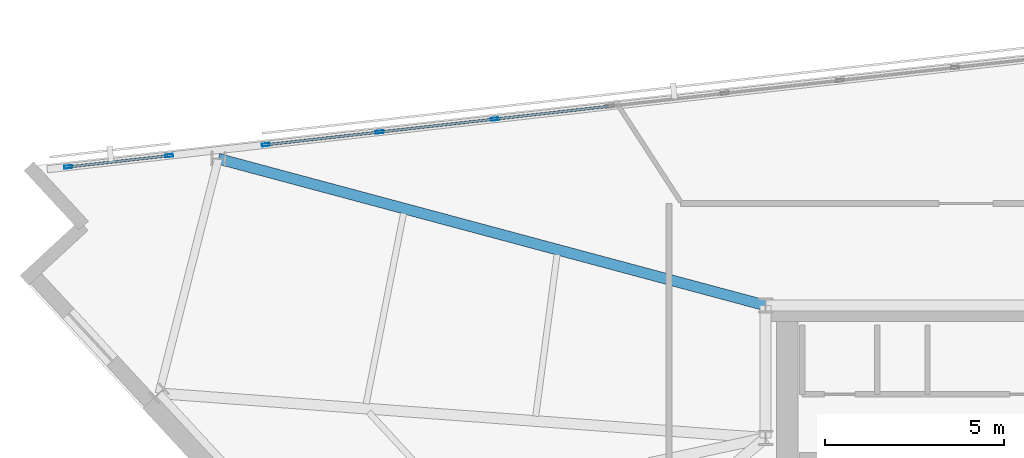
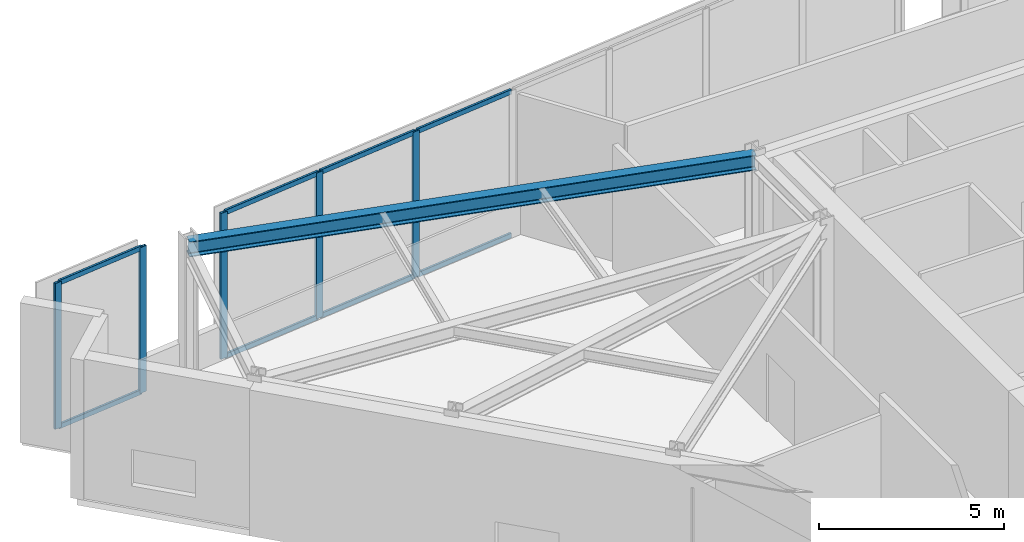
# One storey, part 2 of 12: 13 members, 1 beam, 2 elements without a shape of their own.
"""IFC4 building model written with IfcOpenShell, lengths in metres."""

from ifc_helpers import new_model, si_unit, direction, frame, origin, origin_2d, place, context, subcontext, project, spatial, hollow_rectangle, i_section, extrude, material, material_profile, profile_set, type_object, element, aggregate, save


model = new_model("IFC4")

# Units and contexts
model_context = context("Model", 3, precision=1e-05, world=origin(), true_north=direction((0.0, 1.0)))
body_context = subcontext(model_context, "Body", "Model", "MODEL_VIEW")
ifc_project = project(units=[si_unit("LENGTHUNIT", "METRE"), si_unit("AREAUNIT", "SQUARE_METRE"), si_unit("VOLUMEUNIT", "CUBIC_METRE"), si_unit("PLANEANGLEUNIT", "RADIAN"), si_unit("MASSUNIT", "GRAM", prefix="KILO")], contexts=[model_context])

# Site, building, storey
site_placement = place(None, origin())
site = spatial("IfcSite", under=ifc_project, at=site_placement, CompositionType="ELEMENT")
building_placement = place(site_placement, origin())
building = spatial("IfcBuilding", under=site, at=building_placement, Name="Narakoshi Arena Tower", CompositionType="ELEMENT")
storey_placement = place(building_placement, frame((0.0, 0.0, 302.97998046875)))
storey = spatial("IfcBuildingStorey", under=building, at=storey_placement, Name="L82", CompositionType="ELEMENT", Elevation=302.97998046875)

# Beam
ifc_material_1 = material(Name="Structural steel S355J2", Category="steel")
ifc_material_profile_1 = material_profile(ifc_material_1, i_section(OverallWidth=0.300048828125, OverallDepth=0.5, WebThickness=0.014404296875, FlangeThickness=0.028076171875, FilletRadius=0.027099609375, at=origin_2d()), Name="HE500B")
ifc_profile_set_1 = profile_set([ifc_material_profile_1], Name="Structural steel S355J2")
beam_type = type_object("IfcBeamType", Name="BM-PRI-500", PredefinedType="BEAM", material=ifc_profile_set_1)
beam_placement = place(storey_placement, frame((72.0, 56.5, 4.35009765625), z_axis=(-0.965877018817, 0.259001128418, 0.0), x_axis=(-0.259001128418, -0.965877018817, 0.0)))
element("IfcBeam", 1, at=beam_placement, inside=storey, type_object=beam_type, Name="L82 Radial Primary Floor Girder 08", PredefinedType="BEAM", context=body_context, shape_type="SweptSolid", body=[
    extrude(i_section(OverallWidth=0.300048828125, OverallDepth=0.5, WebThickness=0.014404296875, FlangeThickness=0.028076171875, FilletRadius=0.027099609375, at=origin_2d()), origin(), (0.0, 0.0, 1.0), 15.822998046875),
])

# Curtain wall, members
ifc_material_2 = material(Name="Anodised bronze aluminium 6063-T6", Category="aluminium")
curtain_wall_type = type_object("IfcCurtainWallType", Name="CW-CRN-FACET", PredefinedType="NOTDEFINED", material=ifc_material_2)
curtain_wall_1_placement = place(storey_placement, origin())
curtain_wall_1 = element("IfcCurtainWall", 2, at=curtain_wall_1_placement, inside=storey, type_object=curtain_wall_type, Name="L82 Slanted-Cut Crown Curtain Wall 5-1", PredefinedType="NOTDEFINED")
ifc_material_profile_2 = material_profile(ifc_material_2, hollow_rectangle(XDim=0.080078125, YDim=0.219970703125, WallThickness=0.0048828125, OuterFilletRadius=0.006103515625, at=origin_2d()), Name="MUL220x80x5")
ifc_profile_set_2 = profile_set([ifc_material_profile_2], Name="Anodised bronze aluminium 6063-T6")
member_type_1 = type_object("IfcMemberType", Name="MEM-MUL-220", PredefinedType="MULLION", material=ifc_profile_set_2)
member_1_placement = place(storey_placement, frame((52.522216796875, 60.369384765625, 0.0), z_axis=(0.0, 0.0, 1.0), x_axis=(-0.1113948238, 0.993776228952, 0.0)))
member_1 = element("IfcMember", 3, at=member_1_placement, type_object=member_type_1, Name="CW-06 mullion 1", PredefinedType="MULLION", context=body_context, shape_type="SweptSolid", body=[
    extrude(hollow_rectangle(XDim=0.080078125, YDim=0.219970703125, WallThickness=0.0048828125, OuterFilletRadius=0.006103515625, at=origin_2d()), origin(), (0.0, 0.0, 1.0), 4.800048828125),
])
member_2_placement = place(storey_placement, frame((55.34130859375, 60.685302734375, 0.0), z_axis=(0.0, 0.0, 1.0), x_axis=(-0.1113948238, 0.993776228952, 0.0)))
member_2 = element("IfcMember", 4, at=member_2_placement, type_object=member_type_1, Name="CW-06 mullion 2", PredefinedType="MULLION", context=body_context, shape_type="SweptSolid", body=[
    extrude(hollow_rectangle(XDim=0.080078125, YDim=0.219970703125, WallThickness=0.0048828125, OuterFilletRadius=0.006103515625, at=origin_2d()), origin(), (0.0, 0.0, 1.0), 4.800048828125),
])

curtain_wall_2_placement = place(storey_placement, origin())
curtain_wall_2 = element("IfcCurtainWall", 5, at=curtain_wall_2_placement, inside=storey, type_object=curtain_wall_type, Name="L82 Slanted-Cut Crown Curtain Wall 5-2", PredefinedType="NOTDEFINED")
member_3_placement = place(storey_placement, frame((58.040771484375, 60.988037109375, 0.0), z_axis=(0.0, 0.0, 1.0), x_axis=(-0.11139525537, 0.993776180576, 0.0)))
member_3 = element("IfcMember", 6, at=member_3_placement, type_object=member_type_1, Name="CW-06 mullion 1", PredefinedType="MULLION", context=body_context, shape_type="SweptSolid", body=[
    extrude(hollow_rectangle(XDim=0.080078125, YDim=0.219970703125, WallThickness=0.0048828125, OuterFilletRadius=0.006103515625, at=origin_2d()), origin(), (0.0, 0.0, 1.0), 4.800048828125),
])
member_4_placement = place(storey_placement, frame((61.216796875, 61.343994140625, 0.0), z_axis=(0.0, 0.0, 1.0), x_axis=(-0.11139525537, 0.993776180576, 0.0)))
member_4 = element("IfcMember", 7, at=member_4_placement, type_object=member_type_1, Name="CW-06 mullion 2", PredefinedType="MULLION", context=body_context, shape_type="SweptSolid", body=[
    extrude(hollow_rectangle(XDim=0.080078125, YDim=0.219970703125, WallThickness=0.0048828125, OuterFilletRadius=0.006103515625, at=origin_2d()), origin(), (0.0, 0.0, 1.0), 4.800048828125),
])
member_5_placement = place(storey_placement, frame((64.432373046875, 61.704345703125, 0.0), z_axis=(0.0, 0.0, 1.0), x_axis=(-0.11139525537, 0.993776180576, 0.0)))
member_5 = element("IfcMember", 8, at=member_5_placement, type_object=member_type_1, Name="CW-06 mullion 3", PredefinedType="MULLION", context=body_context, shape_type="SweptSolid", body=[
    extrude(hollow_rectangle(XDim=0.080078125, YDim=0.219970703125, WallThickness=0.0048828125, OuterFilletRadius=0.006103515625, at=origin_2d()), origin(), (0.0, 0.0, 1.0), 4.800048828125),
])

# Member
ifc_material_profile_3 = material_profile(ifc_material_2, hollow_rectangle(XDim=0.070068359375, YDim=0.159912109375, WallThickness=0.00390625, OuterFilletRadius=0.0048828125, at=origin_2d()), Name="TRN160x70x4")
ifc_profile_set_3 = profile_set([ifc_material_profile_3], Name="Anodised bronze aluminium 6063-T6")
member_type_2 = type_object("IfcMemberType", Name="MEM-TRN-160", PredefinedType="USERDEFINED", material=ifc_profile_set_3)
member_6_placement = place(storey_placement, frame((52.56201171875, 60.373779296875, 0.034912109375), z_axis=(0.993774165125, 0.11141323409, 0.0), x_axis=(-0.11141323409, 0.993774165125, 0.0)))
member_6 = element("IfcMember", 9, at=member_6_placement, type_object=member_type_2, Name="CW-06 transom 1.1", ObjectType="TRANSOM", PredefinedType="USERDEFINED", context=body_context, shape_type="SweptSolid", body=[
    extrude(hollow_rectangle(XDim=0.070068359375, YDim=0.159912109375, WallThickness=0.00390625, OuterFilletRadius=0.0048828125, at=origin_2d()), origin(), (0.0, 0.0, 1.0), 2.756591796875),
])

member_7_placement = place(storey_placement, frame((52.56201171875, 60.373779296875, 4.76513671875), z_axis=(0.993774165125, 0.11141323409, 0.0), x_axis=(-0.11141323409, 0.993774165125, 0.0)))
member_7 = element("IfcMember", 10, at=member_7_placement, type_object=member_type_2, Name="CW-06 transom 1.2", ObjectType="TRANSOM", PredefinedType="USERDEFINED", context=body_context, shape_type="SweptSolid", body=[
    extrude(hollow_rectangle(XDim=0.070068359375, YDim=0.159912109375, WallThickness=0.00390625, OuterFilletRadius=0.0048828125, at=origin_2d()), origin(), (0.0, 0.0, 1.0), 2.756591796875),
])

aggregate(curtain_wall_1, [member_1, member_2, member_6, member_7])

member_8_placement = place(storey_placement, frame((58.08056640625, 60.992431640625, 0.034912109375), z_axis=(0.993773354848, 0.111420461294, 0.0), x_axis=(-0.111420461294, 0.993773354848, 0.0)))
member_8 = element("IfcMember", 11, at=member_8_placement, type_object=member_type_2, Name="CW-06 transom 1.1", ObjectType="TRANSOM", PredefinedType="USERDEFINED", context=body_context, shape_type="SweptSolid", body=[
    extrude(hollow_rectangle(XDim=0.070068359375, YDim=0.159912109375, WallThickness=0.00390625, OuterFilletRadius=0.0048828125, at=origin_2d()), origin(), (0.0, 0.0, 1.0), 3.11572265625),
])

member_9_placement = place(storey_placement, frame((58.08056640625, 60.992431640625, 4.76513671875), z_axis=(0.993773354848, 0.111420461294, 0.0), x_axis=(-0.111420461294, 0.993773354848, 0.0)))
member_9 = element("IfcMember", 12, at=member_9_placement, type_object=member_type_2, Name="CW-06 transom 1.2", ObjectType="TRANSOM", PredefinedType="USERDEFINED", context=body_context, shape_type="SweptSolid", body=[
    extrude(hollow_rectangle(XDim=0.070068359375, YDim=0.159912109375, WallThickness=0.00390625, OuterFilletRadius=0.0048828125, at=origin_2d()), origin(), (0.0, 0.0, 1.0), 3.11572265625),
])

member_10_placement = place(storey_placement, frame((61.25634765625, 61.348388671875, 0.034912109375), z_axis=(0.993775713066, 0.111399426033, 0.0), x_axis=(-0.111399426033, 0.993775713066, 0.0)))
member_10 = element("IfcMember", 13, at=member_10_placement, type_object=member_type_2, Name="CW-06 transom 2.1", ObjectType="TRANSOM", PredefinedType="USERDEFINED", context=body_context, shape_type="SweptSolid", body=[
    extrude(hollow_rectangle(XDim=0.070068359375, YDim=0.159912109375, WallThickness=0.00390625, OuterFilletRadius=0.0048828125, at=origin_2d()), origin(), (0.0, 0.0, 1.0), 3.15576171875),
])

member_11_placement = place(storey_placement, frame((61.25634765625, 61.348388671875, 4.76513671875), z_axis=(0.993775713066, 0.111399426033, 0.0), x_axis=(-0.111399426033, 0.993775713066, 0.0)))
member_11 = element("IfcMember", 14, at=member_11_placement, type_object=member_type_2, Name="CW-06 transom 2.2", ObjectType="TRANSOM", PredefinedType="USERDEFINED", context=body_context, shape_type="SweptSolid", body=[
    extrude(hollow_rectangle(XDim=0.070068359375, YDim=0.159912109375, WallThickness=0.00390625, OuterFilletRadius=0.0048828125, at=origin_2d()), origin(), (0.0, 0.0, 1.0), 3.15576171875),
])

member_12_placement = place(storey_placement, frame((64.47216796875, 61.708984375, 0.034912109375), z_axis=(0.993784274501, 0.111323024366, 0.0), x_axis=(-0.111323024366, 0.993784274501, 0.0)))
member_12 = element("IfcMember", 15, at=member_12_placement, type_object=member_type_2, Name="CW-06 transom 3.1", ObjectType="TRANSOM", PredefinedType="USERDEFINED", context=body_context, shape_type="SweptSolid", body=[
    extrude(hollow_rectangle(XDim=0.070068359375, YDim=0.159912109375, WallThickness=0.00390625, OuterFilletRadius=0.0048828125, at=origin_2d()), origin(), (0.0, 0.0, 1.0), 3.15576171875),
])

member_13_placement = place(storey_placement, frame((64.47216796875, 61.708984375, 4.76513671875), z_axis=(0.993784274501, 0.111323024366, 0.0), x_axis=(-0.111323024366, 0.993784274501, 0.0)))
member_13 = element("IfcMember", 16, at=member_13_placement, type_object=member_type_2, Name="CW-06 transom 3.2", ObjectType="TRANSOM", PredefinedType="USERDEFINED", context=body_context, shape_type="SweptSolid", body=[
    extrude(hollow_rectangle(XDim=0.070068359375, YDim=0.159912109375, WallThickness=0.00390625, OuterFilletRadius=0.0048828125, at=origin_2d()), origin(), (0.0, 0.0, 1.0), 3.15576171875),
])

aggregate(curtain_wall_2, [member_3, member_4, member_5, member_8, member_9, member_10, member_11, member_12, member_13])

save(model, "model.ifc")
